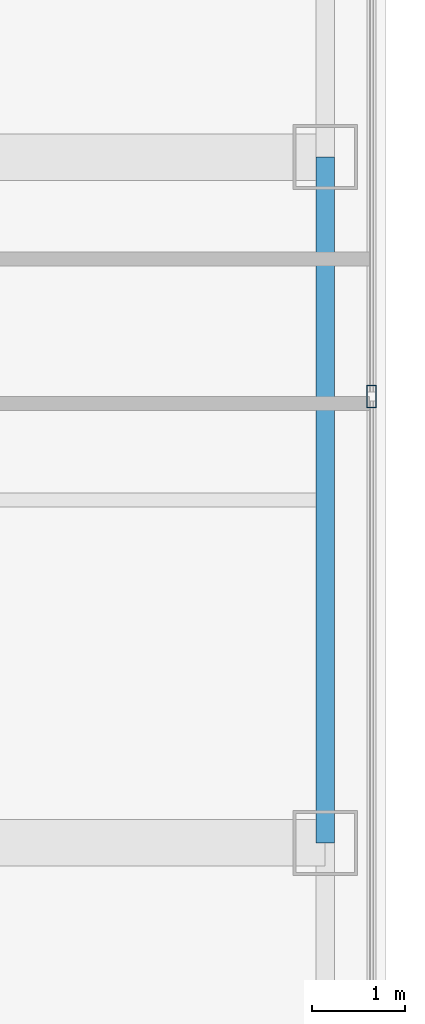
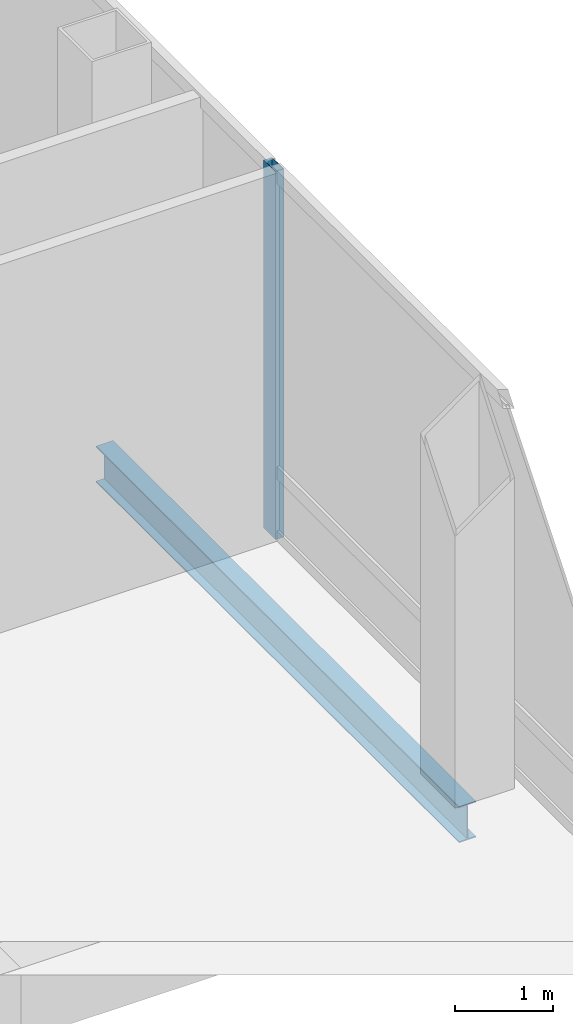
# One storey, part 13 of 28: 1 beam, 1 member, 1 element without a shape of its own.
"""IFC4 building model written with IfcOpenShell, lengths in metres."""

from ifc_helpers import new_model, si_unit, direction, frame, origin, origin_2d, place, context, subcontext, project, spatial, hollow_rectangle, i_section, extrude, material, layer, layer_set, material_profile, profile_set, type_object, element, aggregate, save


model = new_model("IFC4")

# Units and contexts
model_context = context("Model", 3, precision=1e-05, world=origin(), true_north=direction((0.0, 1.0)))
body_context = subcontext(model_context, "Body", "Model", "MODEL_VIEW")
ifc_project = project(units=[si_unit("LENGTHUNIT", "METRE"), si_unit("AREAUNIT", "SQUARE_METRE"), si_unit("VOLUMEUNIT", "CUBIC_METRE"), si_unit("PLANEANGLEUNIT", "RADIAN"), si_unit("MASSUNIT", "GRAM", prefix="KILO")], contexts=[model_context])

# Site, building, storey
site_placement = place(None, origin())
site = spatial("IfcSite", under=ifc_project, at=site_placement, CompositionType="ELEMENT")
building_placement = place(site_placement, origin())
building = spatial("IfcBuilding", under=site, at=building_placement, Name="Khorvyn Point Tower", CompositionType="ELEMENT")
storey_placement = place(building_placement, frame((0.0, 0.0, 108.60009765625)))
storey = spatial("IfcBuildingStorey", under=building, at=storey_placement, Name="L27", CompositionType="ELEMENT", Elevation=108.60009765625)

# Curtain wall, member
ifc_material_1 = material(Name="Anodised aluminium 6063-T6 and laminated Low-E glass", Category="aluminium")
ifc_layer = layer(ifc_material_1, 0.18994140625)
ifc_layer_set = layer_set([ifc_layer], Name="Stick-Built Sky-Lobby Curtain Wall CW-SYS-05")
curtain_wall_type = type_object("IfcCurtainWallType", Name="Stick-Built Sky-Lobby Curtain Wall CW-SYS-05", PredefinedType="NOTDEFINED", material=ifc_layer_set)
curtain_wall_placement = place(storey_placement, origin())
curtain_wall = element("IfcCurtainWall", 1, at=curtain_wall_placement, inside=storey, type_object=curtain_wall_type, Name="Curtain Wall", PredefinedType="NOTDEFINED")
ifc_material_2 = material(Name="Anodised aluminium 6063-T6", Category="aluminium")
ifc_material_profile_1 = material_profile(ifc_material_2, hollow_rectangle(XDim=0.10009765625, YDim=0.239990234375, WallThickness=0.0048828125, at=origin_2d()))
ifc_profile_set_1 = profile_set([ifc_material_profile_1], Name="Anodised aluminium 6063-T6 ALU-MUL-100x240")
member_type = type_object("IfcMemberType", Name="Anodised Aluminium 6063-T6 Mullion ALU-MUL-100x240", PredefinedType="MULLION", material=ifc_profile_set_1)
member_placement = place(storey_placement, frame((27.550048828125, 12.216552734375, 0.0), z_axis=(0.0, 0.0, 1.0), x_axis=(1.0, 0.0, 0.0)))
member = element("IfcMember", 2, at=member_placement, type_object=member_type, Name="Transom", PredefinedType="MULLION", context=body_context, shape_type="SweptSolid", body=[
    extrude(hollow_rectangle(XDim=0.10009765625, YDim=0.239990234375, WallThickness=0.0048828125, at=origin_2d()), origin(), (0.0, 0.0, 1.0), 4.579833984375),
])
aggregate(curtain_wall, [member])

# Beam
ifc_material_3 = material(Name="Steel S355", Category="steel")
ifc_material_profile_2 = material_profile(ifc_material_3, i_section(OverallWidth=0.199951171875, OverallDepth=0.449951171875, WebThickness=0.009033203125, FlangeThickness=0.013916015625, at=origin_2d()))
ifc_profile_set_2 = profile_set([ifc_material_profile_2], Name="Steel S355 H450x200x9x14")
beam_type = type_object("IfcBeamType", Name="Steel S355 Spandrel H450x200x9x14", PredefinedType="SPANDREL", material=ifc_profile_set_2)
beam_placement = place(storey_placement, frame((27.050048828125, 7.39990234375, -0.505126953125), z_axis=(0.0, 1.0, 0.0), x_axis=(-1.0, 0.0, 0.0)))
element("IfcBeam", 3, at=beam_placement, inside=storey, type_object=beam_type, Name="Beam", PredefinedType="SPANDREL", context=body_context, shape_type="SweptSolid", body=[
    extrude(i_section(OverallWidth=0.199951171875, OverallDepth=0.449951171875, WebThickness=0.009033203125, FlangeThickness=0.013916015625, at=origin_2d()), origin(), (0.0, 0.0, 1.0), 7.400146484375),
])

save(model, "model.ifc")
